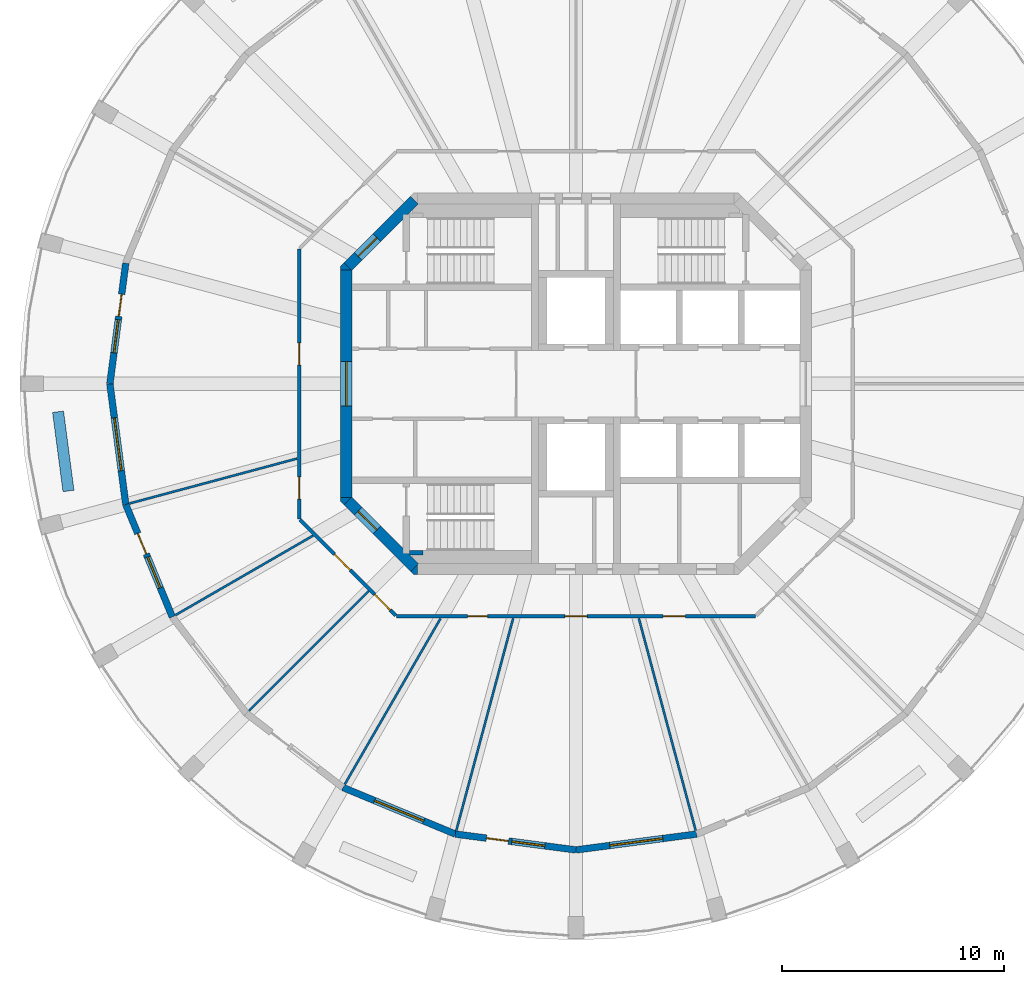
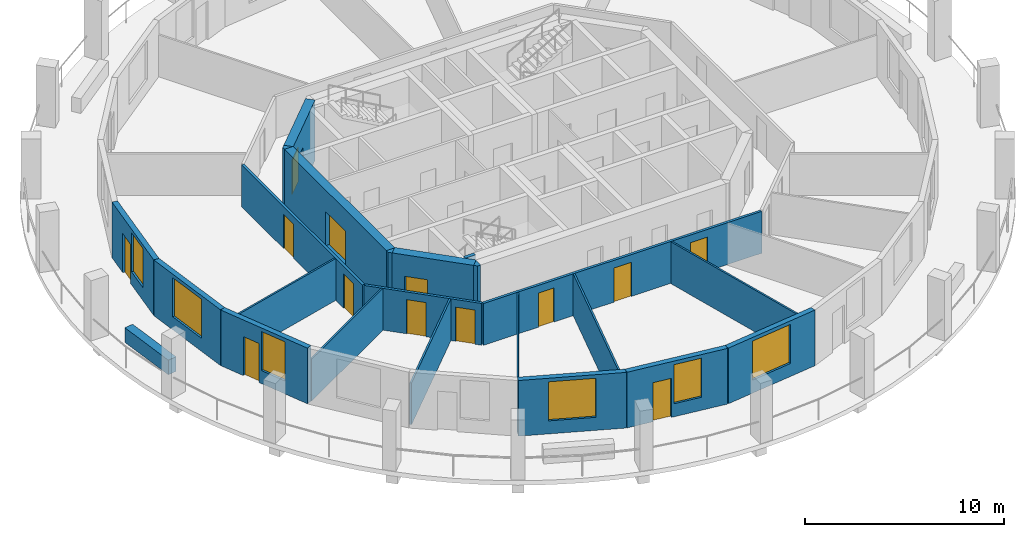
# One storey, part 2 of 8: 23 walls, 13 doors, 6 windows, 19 openings.
"""IFC4 building model written with IfcOpenShell, lengths in metres."""

from ifc_helpers import new_model, si_unit, direction, frame, frame_2d, origin, place, context, subcontext, project, spatial, polyline, rectangle, outline, extrude, material, layer, layer_set, type_object, element, fill, save


model = new_model("IFC4")

# Units and contexts
model_context = context("Model", 3, precision=1e-05, world=origin(), true_north=direction((0.0, 1.0)))
body_context = subcontext(model_context, "Body", "Model", "MODEL_VIEW")
ifc_project = project(units=[si_unit("LENGTHUNIT", "METRE"), si_unit("AREAUNIT", "SQUARE_METRE"), si_unit("VOLUMEUNIT", "CUBIC_METRE"), si_unit("PLANEANGLEUNIT", "RADIAN"), si_unit("MASSUNIT", "GRAM", prefix="KILO")], contexts=[model_context])

# Site, building, storey
site_placement = place(None, origin())
site = spatial("IfcSite", under=ifc_project, at=site_placement, CompositionType="ELEMENT")
building_placement = place(site_placement, origin())
building = spatial("IfcBuilding", under=site, at=building_placement, Name="Torre Triforio", CompositionType="ELEMENT")
storey_placement = place(building_placement, frame((0.0, 0.0, 253.800048828125)))
storey = spatial("IfcBuildingStorey", under=building, at=storey_placement, Name="L58", CompositionType="ELEMENT", Elevation=253.800048828125)

# Wall, opening, door
ifc_material_1 = material(Name="Concrete C40", Category="concrete")
ifc_layer_1 = layer(ifc_material_1, 0.5)
ifc_layer_set_1 = layer_set([ifc_layer_1], Name="Concrete C40")
wall_type_1 = type_object("IfcWallType", Name="Core wall 500 mm C40 EI 120", PredefinedType="SHEAR", material=ifc_layer_set_1)
wall_1_placement = place(storey_placement, frame((-10.35009765625, -5.1298828125, -0.280029296875), z_axis=(0.0, 0.0, 1.0), x_axis=(0.0, 1.0, 0.0)))
wall_1 = element("IfcWall", 1, at=wall_1_placement, inside=storey, type_object=wall_type_1, Name="Core wall", PredefinedType="SHEAR", context=body_context, shape_type="SweptSolid", body=[
    extrude(rectangle(XDim=10.259765625, YDim=0.5, at=frame_2d((5.1298828125, 0.0))), origin(), (0.0, 0.0, 1.0), 3.699951171875),
])
opening_1_placement = place(wall_1_placement, frame((4.1298828125, 0.0, 0.280029296875)))
opening_1 = element("IfcOpeningElement", 2, at=opening_1_placement, cuts=wall_1, Name="Opening W-RING", PredefinedType="OPENING", context=body_context, shape_type="SweptSolid", body=[
    extrude(rectangle(XDim=2.0, YDim=2.10009765625, at=frame_2d((1.0, 1.050048828125))), frame((0.0, 0.260009765625, 0.0), z_axis=(0.0, -1.0, 0.0), x_axis=(1.0, 0.0, 0.0)), (0.0, 0.0, 1.0), 0.52001953125),
])
ifc_material_2 = material(Name="Hollow metal fire door leaf")
door_type_1 = type_object("IfcDoorType", Name="Lobby door 2000 x 2100 EI 60", OperationType="DOUBLE_DOOR_SINGLE_SWING", PredefinedType="DOOR", material=ifc_material_2)
door_1_placement = place(opening_1_placement, origin())
door_1 = element("IfcDoor", 3, at=door_1_placement, inside=storey, type_object=door_type_1, Name="Core door W-RING", OperationType="DOUBLE_DOOR_SINGLE_SWING", OverallHeight=2.10009765625, OverallWidth=2.0, PredefinedType="DOOR", context=body_context, shape_type="SweptSolid", body=[
    extrude(rectangle(XDim=2.0, YDim=2.10009765625, at=frame_2d((1.0, 1.050048828125))), frame((0.0, 0.02490234375, 0.0), z_axis=(0.0, -1.0, 0.0), x_axis=(1.0, 0.0, 0.0)), (0.0, 0.0, 1.0), 0.050048828125),
])
fill(opening_1, door_1)

wall_2_placement = place(storey_placement, frame((-10.27685546875, 5.27685546875, -0.280029296875), z_axis=(0.0, 0.0, 1.0), x_axis=(0.707106781187, 0.707106781187, 0.0)))
wall_2 = element("IfcWall", 4, at=wall_2_placement, inside=storey, type_object=wall_type_1, Name="Core wall", PredefinedType="SHEAR", context=body_context, shape_type="SweptSolid", body=[
    extrude(rectangle(XDim=4.24267578125, YDim=0.5, at=frame_2d((2.121337890625, 0.0))), origin(), (0.0, 0.0, 1.0), 3.699951171875),
])
opening_2_placement = place(wall_2_placement, frame((0.64990234375, 0.0, 0.280029296875)))
opening_2 = element("IfcOpeningElement", 5, at=opening_2_placement, cuts=wall_2, Name="Opening ST1-EXIT", PredefinedType="OPENING", context=body_context, shape_type="SweptSolid", body=[
    extrude(rectangle(XDim=1.199951171875, YDim=2.10009765625, at=frame_2d((0.60009765625, 1.050048828125))), frame((0.0, 0.260009765625, 0.0), z_axis=(0.0, -1.0, 0.0), x_axis=(1.0, 0.0, 0.0)), (0.0, 0.0, 1.0), 0.52001953125),
])
door_type_2 = type_object("IfcDoorType", Name="Stair lobby door 1200 x 2100 EI 60", OperationType="NOTDEFINED", PredefinedType="DOOR", material=ifc_material_2)
door_2_placement = place(opening_2_placement, origin())
door_2 = element("IfcDoor", 6, at=door_2_placement, inside=storey, type_object=door_type_2, Name="Core door ST1-EXIT", OperationType="SINGLE_SWING_RIGHT", OverallHeight=2.10009765625, OverallWidth=1.199951171875, PredefinedType="DOOR", context=body_context, shape_type="SweptSolid", body=[
    extrude(rectangle(XDim=1.199951171875, YDim=2.10009765625, at=frame_2d((0.60009765625, 1.050048828125))), frame((0.0, 0.02490234375, 0.0), z_axis=(0.0, -1.0, 0.0), x_axis=(1.0, 0.0, 0.0)), (0.0, 0.0, 1.0), 0.050048828125),
])
fill(opening_2, door_2)

wall_3_placement = place(storey_placement, frame((-7.27685546875, -8.27685546875, -0.280029296875), z_axis=(0.0, 0.0, 1.0), x_axis=(-0.707106781187, 0.707106781187, 0.0)))
wall_3 = element("IfcWall", 7, at=wall_3_placement, inside=storey, type_object=wall_type_1, Name="Core wall", PredefinedType="SHEAR", context=body_context, shape_type="SweptSolid", body=[
    extrude(rectangle(XDim=4.24267578125, YDim=0.5, at=frame_2d((2.121337890625, 0.0))), origin(), (0.0, 0.0, 1.0), 3.699951171875),
])
opening_3_placement = place(wall_3_placement, frame((2.392578125, 0.0, 0.280029296875)))
opening_3 = element("IfcOpeningElement", 8, at=opening_3_placement, cuts=wall_3, Name="Opening ST3-EXIT", PredefinedType="OPENING", context=body_context, shape_type="SweptSolid", body=[
    extrude(rectangle(XDim=1.199951171875, YDim=2.10009765625, at=frame_2d((0.60009765625, 1.050048828125))), frame((0.0, 0.260009765625, 0.0), z_axis=(0.0, -1.0, 0.0), x_axis=(1.0, 0.0, 0.0)), (0.0, 0.0, 1.0), 0.52001953125),
])
door_3_placement = place(opening_3_placement, origin())
door_3 = element("IfcDoor", 9, at=door_3_placement, inside=storey, type_object=door_type_2, Name="Core door ST3-EXIT", OperationType="SINGLE_SWING_RIGHT", OverallHeight=2.10009765625, OverallWidth=1.199951171875, PredefinedType="DOOR", context=body_context, shape_type="SweptSolid", body=[
    extrude(rectangle(XDim=1.199951171875, YDim=2.10009765625, at=frame_2d((0.60009765625, 1.050048828125))), frame((0.0, 0.02490234375, 0.0), z_axis=(0.0, -1.0, 0.0), x_axis=(1.0, 0.0, 0.0)), (0.0, 0.0, 1.0), 0.050048828125),
])
fill(opening_3, door_3)

# Walls
wall_4_placement = place(storey_placement, frame((0.0, 0.0, -0.280029296875)))
element("IfcWall", 10, at=wall_4_placement, inside=storey, type_object=wall_type_1, Name="Core wall", PredefinedType="SHEAR", context=body_context, shape_type="SweptSolid", body=[
    extrude(outline(polyline([(-7.30712890625, -8.60009765625), (-7.45361328125, -8.45361328125), (-7.1298828125, -8.1298828125), (-7.1298828125, -8.60009765625), (-7.30712890625, -8.60009765625)])), origin(), (0.0, 0.0, 1.0), 3.699951171875),
])
wall_5_placement = place(storey_placement, frame((0.0, 0.0, -0.280029296875)))
element("IfcWall", 11, at=wall_5_placement, inside=storey, type_object=wall_type_1, Name="Core wall", PredefinedType="SHEAR", context=body_context, shape_type="SweptSolid", body=[
    extrude(outline(polyline([(-10.60009765625, -5.30712890625), (-10.60009765625, -5.1298828125), (-10.1298828125, -5.1298828125), (-10.45361328125, -5.45361328125), (-10.60009765625, -5.30712890625)])), origin(), (0.0, 0.0, 1.0), 3.699951171875),
])
wall_6_placement = place(storey_placement, frame((0.0, 0.0, -0.280029296875)))
element("IfcWall", 12, at=wall_6_placement, inside=storey, type_object=wall_type_1, Name="Core wall", PredefinedType="SHEAR", context=body_context, shape_type="SweptSolid", body=[
    extrude(outline(polyline([(-10.45361328125, 5.45361328125), (-10.1298828125, 5.1298828125), (-10.60009765625, 5.1298828125), (-10.60009765625, 5.30712890625), (-10.45361328125, 5.45361328125)])), origin(), (0.0, 0.0, 1.0), 3.699951171875),
])

# Wall, openings, doors
ifc_material_3 = material(Name="Plasterboard on metal studs")
ifc_layer_2 = layer(ifc_material_3, 0.14990234375)
ifc_layer_set_2 = layer_set([ifc_layer_2], Name="Plasterboard on metal studs")
wall_type_2 = type_object("IfcWallType", Name="Corridor and tenancy wall 150 mm EI 60", PredefinedType="PARTITIONING", material=ifc_layer_set_2)
wall_7_placement = place(storey_placement, frame((8.083740234375, -10.47509765625, 0.0), z_axis=(0.0, 0.0, 1.0), x_axis=(-1.0, 0.0, 0.0)))
wall_7 = element("IfcWall", 13, at=wall_7_placement, inside=storey, type_object=wall_type_2, Name="Partition 2", PredefinedType="PARTITIONING", context=body_context, shape_type="SweptSolid", body=[
    extrude(rectangle(XDim=16.16748046875, YDim=0.14990234375, at=frame_2d((8.083740234375, 0.0))), origin(), (0.0, 0.0, 1.0), 2.570068359375),
])
opening_4_placement = place(wall_7_placement, frame((12.06494140625, 0.0, 0.0)))
opening_4 = element("IfcOpeningElement", 14, at=opening_4_placement, cuts=wall_7, Name="Opening E1-09", PredefinedType="OPENING", context=body_context, shape_type="SweptSolid", body=[
    extrude(rectangle(XDim=0.89990234375, YDim=2.10009765625, at=frame_2d((0.449951171875, 1.050048828125))), frame((0.0, 0.0849609375, 0.0), z_axis=(0.0, -1.0, 0.0), x_axis=(1.0, 0.0, 0.0)), (0.0, 0.0, 1.0), 0.169921875),
])
opening_5_placement = place(wall_7_placement, frame((7.583740234375, 0.0, 0.0)))
opening_5 = element("IfcOpeningElement", 15, at=opening_5_placement, cuts=wall_7, Name="Opening E1-10", PredefinedType="OPENING", context=body_context, shape_type="SweptSolid", body=[
    extrude(rectangle(XDim=1.0, YDim=2.10009765625, at=frame_2d((0.5, 1.050048828125))), frame((0.0, 0.0849609375, 0.0), z_axis=(0.0, -1.0, 0.0), x_axis=(1.0, 0.0, 0.0)), (0.0, 0.0, 1.0), 0.169921875),
])
opening_6_placement = place(wall_7_placement, frame((3.152587890625, 0.0, 0.0)))
opening_6 = element("IfcOpeningElement", 16, at=opening_6_placement, cuts=wall_7, Name="Opening E1-11", PredefinedType="OPENING", context=body_context, shape_type="SweptSolid", body=[
    extrude(rectangle(XDim=1.0, YDim=2.10009765625, at=frame_2d((0.5, 1.050048828125))), frame((0.0, 0.0849609375, 0.0), z_axis=(0.0, -1.0, 0.0), x_axis=(1.0, 0.0, 0.0)), (0.0, 0.0, 1.0), 0.169921875),
])
ifc_material_4 = material(Name="Timber", Category="wood")
door_type_3 = type_object("IfcDoorType", Name="Door 1000 x 2100 single leaf EI 30", OperationType="NOTDEFINED", PredefinedType="DOOR", material=ifc_material_4)
door_4_placement = place(opening_5_placement, origin())
door_4 = element("IfcDoor", 17, at=door_4_placement, inside=storey, type_object=door_type_3, Name="Door E1-10", OperationType="SINGLE_SWING_LEFT", OverallHeight=2.10009765625, OverallWidth=1.0, PredefinedType="DOOR", context=body_context, shape_type="SweptSolid", body=[
    extrude(rectangle(XDim=1.0, YDim=2.10009765625, at=frame_2d((0.5, 1.050048828125))), frame((0.0, 0.02490234375, 0.0), z_axis=(0.0, -1.0, 0.0), x_axis=(1.0, 0.0, 0.0)), (0.0, 0.0, 1.0), 0.050048828125),
])
fill(opening_5, door_4)
door_5_placement = place(opening_6_placement, origin())
door_5 = element("IfcDoor", 18, at=door_5_placement, inside=storey, type_object=door_type_3, Name="Door E1-11", OperationType="SINGLE_SWING_LEFT", OverallHeight=2.10009765625, OverallWidth=1.0, PredefinedType="DOOR", context=body_context, shape_type="SweptSolid", body=[
    extrude(rectangle(XDim=1.0, YDim=2.10009765625, at=frame_2d((0.5, 1.050048828125))), frame((0.0, 0.02490234375, 0.0), z_axis=(0.0, -1.0, 0.0), x_axis=(1.0, 0.0, 0.0)), (0.0, 0.0, 1.0), 0.050048828125),
])
fill(opening_6, door_5)
door_type_4 = type_object("IfcDoorType", Name="Door 900 x 2100 single leaf EI 30", OperationType="NOTDEFINED", PredefinedType="DOOR", material=ifc_material_4)
door_6_placement = place(opening_4_placement, origin())
door_6 = element("IfcDoor", 19, at=door_6_placement, inside=storey, type_object=door_type_4, Name="Door E1-09", OperationType="SINGLE_SWING_LEFT", OverallHeight=2.10009765625, OverallWidth=0.89990234375, PredefinedType="DOOR", context=body_context, shape_type="SweptSolid", body=[
    extrude(rectangle(XDim=0.89990234375, YDim=2.10009765625, at=frame_2d((0.449951171875, 1.050048828125))), frame((0.0, 0.02490234375, 0.0), z_axis=(0.0, -1.0, 0.0), x_axis=(1.0, 0.0, 0.0)), (0.0, 0.0, 1.0), 0.050048828125),
])
fill(opening_4, door_6)

wall_8_placement = place(storey_placement, frame((-8.120849609375, -10.43798828125, 0.0), z_axis=(0.0, 0.0, 1.0), x_axis=(-0.707106781187, 0.707106781187, 0.0)))
wall_8 = element("IfcWall", 20, at=wall_8_placement, inside=storey, type_object=wall_type_2, Name="Partition 3", PredefinedType="PARTITIONING", context=body_context, shape_type="SweptSolid", body=[
    extrude(rectangle(XDim=6.10546875, YDim=0.14990234375, at=frame_2d((3.052734375, 0.0))), origin(), (0.0, 0.0, 1.0), 2.570068359375),
])
opening_7_placement = place(wall_8_placement, frame((2.8974609375, 0.0, 0.0)))
opening_7 = element("IfcOpeningElement", 21, at=opening_7_placement, cuts=wall_8, Name="Opening E1-07", PredefinedType="OPENING", context=body_context, shape_type="SweptSolid", body=[
    extrude(rectangle(XDim=1.0, YDim=2.10009765625, at=frame_2d((0.5, 1.050048828125))), frame((0.0, 0.0849609375, 0.0), z_axis=(0.0, -1.0, 0.0), x_axis=(1.0, 0.0, 0.0)), (0.0, 0.0, 1.0), 0.169921875),
])
opening_8_placement = place(wall_8_placement, frame((0.34423828125, 0.0, 0.0)))
opening_8 = element("IfcOpeningElement", 22, at=opening_8_placement, cuts=wall_8, Name="Opening E1-08", PredefinedType="OPENING", context=body_context, shape_type="SweptSolid", body=[
    extrude(rectangle(XDim=1.0, YDim=2.10009765625, at=frame_2d((0.5, 1.050048828125))), frame((0.0, 0.0849609375, 0.0), z_axis=(0.0, -1.0, 0.0), x_axis=(1.0, 0.0, 0.0)), (0.0, 0.0, 1.0), 0.169921875),
])
door_7_placement = place(opening_7_placement, origin())
door_7 = element("IfcDoor", 23, at=door_7_placement, inside=storey, type_object=door_type_3, Name="Door E1-07", OperationType="SINGLE_SWING_LEFT", OverallHeight=2.10009765625, OverallWidth=1.0, PredefinedType="DOOR", context=body_context, shape_type="SweptSolid", body=[
    extrude(rectangle(XDim=1.0, YDim=2.10009765625, at=frame_2d((0.5, 1.050048828125))), frame((0.0, 0.02490234375, 0.0), z_axis=(0.0, -1.0, 0.0), x_axis=(1.0, 0.0, 0.0)), (0.0, 0.0, 1.0), 0.050048828125),
])
fill(opening_7, door_7)
door_8_placement = place(opening_8_placement, origin())
door_8 = element("IfcDoor", 24, at=door_8_placement, inside=storey, type_object=door_type_3, Name="Door E1-08", OperationType="SINGLE_SWING_LEFT", OverallHeight=2.10009765625, OverallWidth=1.0, PredefinedType="DOOR", context=body_context, shape_type="SweptSolid", body=[
    extrude(rectangle(XDim=1.0, YDim=2.10009765625, at=frame_2d((0.5, 1.050048828125))), frame((0.0, 0.02490234375, 0.0), z_axis=(0.0, -1.0, 0.0), x_axis=(1.0, 0.0, 0.0)), (0.0, 0.0, 1.0), 0.050048828125),
])
fill(opening_8, door_8)

wall_9_placement = place(storey_placement, frame((-12.47509765625, -6.083740234375, 0.0), z_axis=(0.0, 0.0, 1.0), x_axis=(0.0, 1.0, 0.0)))
wall_9 = element("IfcWall", 25, at=wall_9_placement, inside=storey, type_object=wall_type_2, Name="Partition 4", PredefinedType="PARTITIONING", context=body_context, shape_type="SweptSolid", body=[
    extrude(rectangle(XDim=12.16748046875, YDim=0.14990234375, at=frame_2d((6.083740234375, 0.0))), origin(), (0.0, 0.0, 1.0), 2.570068359375),
])
opening_9_placement = place(wall_9_placement, frame((6.928466796875, 0.0, 0.0)))
opening_9 = element("IfcOpeningElement", 26, at=opening_9_placement, cuts=wall_9, Name="Opening E1-05", PredefinedType="OPENING", context=body_context, shape_type="SweptSolid", body=[
    extrude(rectangle(XDim=1.0, YDim=2.10009765625, at=frame_2d((0.5, 1.050048828125))), frame((0.0, 0.0849609375, 0.0), z_axis=(0.0, -1.0, 0.0), x_axis=(1.0, 0.0, 0.0)), (0.0, 0.0, 1.0), 0.169921875),
])
opening_10_placement = place(wall_9_placement, frame((0.8955078125, 0.0, 0.0)))
opening_10 = element("IfcOpeningElement", 27, at=opening_10_placement, cuts=wall_9, Name="Opening E1-06", PredefinedType="OPENING", context=body_context, shape_type="SweptSolid", body=[
    extrude(rectangle(XDim=1.0, YDim=2.10009765625, at=frame_2d((0.5, 1.050048828125))), frame((0.0, 0.0849609375, 0.0), z_axis=(0.0, -1.0, 0.0), x_axis=(1.0, 0.0, 0.0)), (0.0, 0.0, 1.0), 0.169921875),
])
door_9_placement = place(opening_9_placement, origin())
door_9 = element("IfcDoor", 28, at=door_9_placement, inside=storey, type_object=door_type_3, Name="Door E1-05", OperationType="SINGLE_SWING_LEFT", OverallHeight=2.10009765625, OverallWidth=1.0, PredefinedType="DOOR", context=body_context, shape_type="SweptSolid", body=[
    extrude(rectangle(XDim=1.0, YDim=2.10009765625, at=frame_2d((0.5, 1.050048828125))), frame((0.0, 0.02490234375, 0.0), z_axis=(0.0, -1.0, 0.0), x_axis=(1.0, 0.0, 0.0)), (0.0, 0.0, 1.0), 0.050048828125),
])
fill(opening_9, door_9)
door_10_placement = place(opening_10_placement, origin())
door_10 = element("IfcDoor", 29, at=door_10_placement, inside=storey, type_object=door_type_3, Name="Door E1-06", OperationType="SINGLE_SWING_LEFT", OverallHeight=2.10009765625, OverallWidth=1.0, PredefinedType="DOOR", context=body_context, shape_type="SweptSolid", body=[
    extrude(rectangle(XDim=1.0, YDim=2.10009765625, at=frame_2d((0.5, 1.050048828125))), frame((0.0, 0.02490234375, 0.0), z_axis=(0.0, -1.0, 0.0), x_axis=(1.0, 0.0, 0.0)), (0.0, 0.0, 1.0), 0.050048828125),
])
fill(opening_10, door_10)

# Walls
ifc_layer_3 = layer(ifc_material_3, 0.10009765625)
ifc_layer_set_3 = layer_set([ifc_layer_3], Name="Plasterboard on metal studs")
wall_type_3 = type_object("IfcWallType", Name="Partition 100 mm board on metal studs", PredefinedType="PARTITIONING", material=ifc_layer_set_3)
wall_10_placement = place(storey_placement, frame((-12.564208984375, -3.36669921875, 0.0), z_axis=(0.0, 0.0, 1.0), x_axis=(-0.965933576344, -0.258790119773, 0.0)))
element("IfcWall", 30, at=wall_10_placement, inside=storey, type_object=wall_type_3, Name="Partition 15", PredefinedType="PARTITIONING", context=body_context, shape_type="SweptSolid", body=[
    extrude(rectangle(XDim=7.8291015625, YDim=0.10009765625, at=frame_2d((3.91455078125, 0.0))), origin(), (0.0, 0.0, 1.0), 2.570068359375),
])
wall_11_placement = place(storey_placement, frame((-11.845947265625, -6.839111328125, 0.0), z_axis=(0.0, 0.0, 1.0), x_axis=(-0.866011787705, -0.500023583, 0.0)))
element("IfcWall", 31, at=wall_11_placement, inside=storey, type_object=wall_type_3, Name="Partition 16", PredefinedType="PARTITIONING", context=body_context, shape_type="SweptSolid", body=[
    extrude(rectangle(XDim=7.158447265625, YDim=0.10009765625, at=frame_2d((3.5791015625, 0.0))), origin(), (0.0, 0.0, 1.0), 2.570068359375),
])
wall_12_placement = place(storey_placement, frame((-9.33251953125, -9.33251953125, 0.0), z_axis=(0.0, 0.0, 1.0), x_axis=(-0.707106781187, -0.707106781187, 0.0)))
element("IfcWall", 32, at=wall_12_placement, inside=storey, type_object=wall_type_3, Name="Partition 17", PredefinedType="PARTITIONING", context=body_context, shape_type="SweptSolid", body=[
    extrude(rectangle(XDim=7.638671875, YDim=0.10009765625, at=frame_2d((3.8193359375, 0.0))), origin(), (0.0, 0.0, 1.0), 2.570068359375),
])
wall_13_placement = place(storey_placement, frame((-6.105224609375, -10.57470703125, 0.0), z_axis=(0.0, 0.0, 1.0), x_axis=(-0.50001399067, -0.866017326117, 0.0)))
element("IfcWall", 33, at=wall_13_placement, inside=storey, type_object=wall_type_3, Name="Partition 18", PredefinedType="PARTITIONING", context=body_context, shape_type="SweptSolid", body=[
    extrude(rectangle(XDim=8.626220703125, YDim=0.10009765625, at=frame_2d((4.31298828125, 0.0))), origin(), (0.0, 0.0, 1.0), 2.570068359375),
])
for number, where, z_axis, x_axis, name in (
    (34, (-2.830810546875, -10.564208984375, 0.0), (0.0, 0.0, 1.0), (-0.258795254151, -0.965932200741, 0.0), "Partition 19"),
    (35, (2.830810546875, -10.564208984375, 0.0), (0.0, 0.0, 1.0), (0.258795254151, -0.965932200741, 0.0), "Partition 20"),
):
    element("IfcWall", number, at=place(storey_placement, frame(where, z_axis=z_axis, x_axis=x_axis)), inside=storey, type_object=wall_type_3, Name=name, PredefinedType="PARTITIONING", context=body_context, shape_type="SweptSolid", body=[
        extrude(rectangle(XDim=9.899658203125, YDim=0.10009765625, at=frame_2d((4.94970703125, 0.0))), origin(), (0.0, 0.0, 1.0), 2.570068359375),
    ])
ifc_material_5 = material(Name="Limestone cladding", Category="masonry")
ifc_layer_4 = layer(ifc_material_5, 0.10009765625)
ifc_layer_5 = layer(ifc_material_1, 0.39990234375)
ifc_layer_set_4 = layer_set([ifc_layer_4, ifc_layer_5], Name="Limestone cladding / Concrete C40")
wall_type_4 = type_object("IfcWallType", Name="Planter wall 500", PredefinedType="PARAPET", material=ifc_layer_set_4)
wall_14_placement = place(storey_placement, frame((-23.335693359375, -1.256591796875, 0.0), z_axis=(0.0, 0.0, 1.0), x_axis=(0.130542222659, -0.991442750795, 0.0)))
element("IfcWall", 36, at=wall_14_placement, inside=storey, type_object=wall_type_4, Name="Planter L58 bay 13", PredefinedType="PARAPET", context=body_context, shape_type="SweptSolid", body=[
    extrude(rectangle(XDim=3.60009765625, YDim=0.5, at=frame_2d((1.800048828125, 0.0))), origin(), (0.0, 0.0, 1.0), 0.89990234375),
])
ifc_layer_6 = layer(ifc_material_1, 0.199951171875)
ifc_layer_set_5 = layer_set([ifc_layer_6], Name="Concrete C40")
wall_type_5 = type_object("IfcWallType", Name="Stair wall 200 mm C40 EI 120", PredefinedType="SHEAR", material=ifc_layer_set_5)
wall_15_placement = place(storey_placement, frame((-7.5, -7.60009765625, 0.0), z_axis=(0.0, 0.0, 1.0), x_axis=(1.0, 0.0, 0.0)))
element("IfcWall", 37, at=wall_15_placement, inside=storey, type_object=wall_type_5, Name="Stair wall", PredefinedType="SHEAR", context=body_context, shape_type="SweptSolid", body=[
    extrude(rectangle(XDim=0.60009765625, YDim=0.199951171875, at=frame_2d((0.300048828125, 0.0))), origin(), (0.0, 0.0, 1.0), 3.419921875),
])

# Wall, openings, door, window
ifc_layer_7 = layer(ifc_material_5, 0.10009765625)
ifc_layer_8 = layer(ifc_material_1, 0.199951171875)
ifc_layer_set_6 = layer_set([ifc_layer_7, ifc_layer_8], Name="Limestone cladding / Concrete C40")
wall_type_6 = type_object("IfcWallType", Name="Stone-faced composite wall 300", PredefinedType="STANDARD", material=ifc_layer_set_6)
wall_16_placement = place(storey_placement, frame((-20.284423828125, 5.435302734375, 0.0), z_axis=(0.0, 0.0, 1.0), x_axis=(-0.130527087244, -0.991444743541, 0.0)))
wall_16 = element("IfcWall", 38, at=wall_16_placement, inside=storey, type_object=wall_type_6, Name="External wall L58 bay 12", PredefinedType="STANDARD", context=body_context, shape_type="SweptSolid", body=[
    extrude(rectangle(XDim=5.482177734375, YDim=0.300048828125, at=frame_2d((2.7412109375, 0.0))), origin(), (0.0, 0.0, 1.0), 3.419921875),
])
opening_11_placement = place(wall_16_placement, frame((1.416015625, 0.0, 0.0)))
opening_11 = element("IfcOpeningElement", 39, at=opening_11_placement, cuts=wall_16, Name="Opening E1-D12", PredefinedType="OPENING", context=body_context, shape_type="SweptSolid", body=[
    extrude(rectangle(XDim=1.0, YDim=2.39990234375, at=frame_2d((0.5, 1.199951171875))), frame((0.0, 0.159912109375, 0.0), z_axis=(0.0, -1.0, 0.0), x_axis=(1.0, 0.0, 0.0)), (0.0, 0.0, 1.0), 0.320068359375),
])
opening_12_placement = place(wall_16_placement, frame((2.566162109375, 0.0, 0.800048828125)))
opening_12 = element("IfcOpeningElement", 40, at=opening_12_placement, cuts=wall_16, Name="Opening E1-W12A", PredefinedType="OPENING", context=body_context, shape_type="SweptSolid", body=[
    extrude(rectangle(XDim=1.5, YDim=2.39990234375, at=frame_2d((0.75, 1.199951171875))), frame((0.0, 0.159912109375, 0.0), z_axis=(0.0, -1.0, 0.0), x_axis=(1.0, 0.0, 0.0)), (0.0, 0.0, 1.0), 0.320068359375),
])
ifc_material_6 = material(Name="Aluminium frame with clear double glazing", Category="aluminium")
door_type_5 = type_object("IfcDoorType", Name="Loggia door 1000 x 2400", OperationType="NOTDEFINED", PredefinedType="DOOR", material=ifc_material_6)
door_11_placement = place(opening_11_placement, origin())
door_11 = element("IfcDoor", 41, at=door_11_placement, inside=storey, type_object=door_type_5, Name="Loggia door L58 bay 12", OperationType="SINGLE_SWING_LEFT", OverallHeight=2.39990234375, OverallWidth=1.0, PredefinedType="DOOR", context=body_context, shape_type="SweptSolid", body=[
    extrude(rectangle(XDim=1.0, YDim=2.39990234375, at=frame_2d((0.5, 1.199951171875))), frame((0.0, 0.02490234375, 0.0), z_axis=(0.0, -1.0, 0.0), x_axis=(1.0, 0.0, 0.0)), (0.0, 0.0, 1.0), 0.050048828125),
])
fill(opening_11, door_11)
window_type_1 = type_object("IfcWindowType", Name="Side window 1500 x 2400", PartitioningType="SINGLE_PANEL", PredefinedType="WINDOW", material=ifc_material_6)
window_1_placement = place(opening_12_placement, origin())
window_1 = element("IfcWindow", 42, at=window_1_placement, inside=storey, type_object=window_type_1, Name="Side window EWN14 L58 bay 12", OverallHeight=2.39990234375, OverallWidth=1.5, PartitioningType="SINGLE_PANEL", PredefinedType="WINDOW", context=body_context, shape_type="SweptSolid", body=[
    extrude(rectangle(XDim=1.5, YDim=2.39990234375, at=frame_2d((0.75, 1.199951171875))), frame((0.0, 0.030029296875, 0.0), z_axis=(0.0, -1.0, 0.0), x_axis=(1.0, 0.0, 0.0)), (0.0, 0.0, 1.0), 0.06005859375),
])
fill(opening_12, window_1)

# Wall, opening, window
wall_17_placement = place(storey_placement, frame((-21.0, 0.0, 0.0), z_axis=(0.0, 0.0, 1.0), x_axis=(0.130527087244, -0.991444743541, 0.0)))
wall_17 = element("IfcWall", 43, at=wall_17_placement, inside=storey, type_object=wall_type_6, Name="External wall L58 bay 13", PredefinedType="STANDARD", context=body_context, shape_type="SweptSolid", body=[
    extrude(rectangle(XDim=5.482177734375, YDim=0.300048828125, at=frame_2d((2.7412109375, 0.0))), origin(), (0.0, 0.0, 1.0), 3.419921875),
])
opening_13_placement = place(wall_17_placement, frame((1.541015625, 0.0, 0.800048828125)))
opening_13 = element("IfcOpeningElement", 44, at=opening_13_placement, cuts=wall_17, Name="Opening E1-W13", PredefinedType="OPENING", context=body_context, shape_type="SweptSolid", body=[
    extrude(rectangle(XDim=2.39990234375, YDim=2.39990234375, at=frame_2d((1.199951171875, 1.199951171875))), frame((0.0, 0.159912109375, 0.0), z_axis=(0.0, -1.0, 0.0), x_axis=(1.0, 0.0, 0.0)), (0.0, 0.0, 1.0), 0.320068359375),
])
window_type_2 = type_object("IfcWindowType", Name="Punched window 2400 x 2400", PartitioningType="DOUBLE_PANEL_VERTICAL", PredefinedType="WINDOW", material=ifc_material_6)
window_2_placement = place(opening_13_placement, origin())
window_2 = element("IfcWindow", 45, at=window_2_placement, inside=storey, type_object=window_type_2, Name="Window EWN4 L58 bay 13", OverallHeight=2.39990234375, OverallWidth=2.39990234375, PartitioningType="SINGLE_PANEL", PredefinedType="WINDOW", context=body_context, shape_type="SweptSolid", body=[
    extrude(rectangle(XDim=2.39990234375, YDim=2.39990234375, at=frame_2d((1.199951171875, 1.199951171875))), frame((0.0, 0.030029296875, 0.0), z_axis=(0.0, -1.0, 0.0), x_axis=(1.0, 0.0, 0.0)), (0.0, 0.0, 1.0), 0.06005859375),
])
fill(opening_13, window_2)

# Wall, openings, door, window
wall_18_placement = place(storey_placement, frame((-20.284423828125, -5.435302734375, 0.0), z_axis=(0.0, 0.0, 1.0), x_axis=(0.382688740813, -0.923877333662, 0.0)))
wall_18 = element("IfcWall", 46, at=wall_18_placement, inside=storey, type_object=wall_type_6, Name="External wall L58 bay 14", PredefinedType="STANDARD", context=body_context, shape_type="SweptSolid", body=[
    extrude(rectangle(XDim=5.48193359375, YDim=0.300048828125, at=frame_2d((2.740966796875, 0.0))), origin(), (0.0, 0.0, 1.0), 3.419921875),
])
opening_14_placement = place(wall_18_placement, frame((1.416015625, 0.0, 0.0)))
opening_14 = element("IfcOpeningElement", 47, at=opening_14_placement, cuts=wall_18, Name="Opening E1-D14", PredefinedType="OPENING", context=body_context, shape_type="SweptSolid", body=[
    extrude(rectangle(XDim=1.0, YDim=2.39990234375, at=frame_2d((0.5, 1.199951171875))), frame((0.0, 0.159912109375, 0.0), z_axis=(0.0, -1.0, 0.0), x_axis=(1.0, 0.0, 0.0)), (0.0, 0.0, 1.0), 0.320068359375),
])
opening_15_placement = place(wall_18_placement, frame((2.566162109375, 0.0, 0.800048828125)))
opening_15 = element("IfcOpeningElement", 48, at=opening_15_placement, cuts=wall_18, Name="Opening E1-W14A", PredefinedType="OPENING", context=body_context, shape_type="SweptSolid", body=[
    extrude(rectangle(XDim=1.5, YDim=2.39990234375, at=frame_2d((0.75, 1.199951171875))), frame((0.0, 0.159912109375, 0.0), z_axis=(0.0, -1.0, 0.0), x_axis=(1.0, 0.0, 0.0)), (0.0, 0.0, 1.0), 0.320068359375),
])
door_12_placement = place(opening_14_placement, origin())
door_12 = element("IfcDoor", 49, at=door_12_placement, inside=storey, type_object=door_type_5, Name="Loggia door L58 bay 14", OperationType="SINGLE_SWING_LEFT", OverallHeight=2.39990234375, OverallWidth=1.0, PredefinedType="DOOR", context=body_context, shape_type="SweptSolid", body=[
    extrude(rectangle(XDim=1.0, YDim=2.39990234375, at=frame_2d((0.5, 1.199951171875))), frame((0.0, 0.02490234375, 0.0), z_axis=(0.0, -1.0, 0.0), x_axis=(1.0, 0.0, 0.0)), (0.0, 0.0, 1.0), 0.050048828125),
])
fill(opening_14, door_12)
window_3_placement = place(opening_15_placement, origin())
window_3 = element("IfcWindow", 50, at=window_3_placement, inside=storey, type_object=window_type_1, Name="Side window EWN14 L58 bay 14", OverallHeight=2.39990234375, OverallWidth=1.5, PartitioningType="SINGLE_PANEL", PredefinedType="WINDOW", context=body_context, shape_type="SweptSolid", body=[
    extrude(rectangle(XDim=1.5, YDim=2.39990234375, at=frame_2d((0.75, 1.199951171875))), frame((0.0, 0.030029296875, 0.0), z_axis=(0.0, -1.0, 0.0), x_axis=(1.0, 0.0, 0.0)), (0.0, 0.0, 1.0), 0.06005859375),
])
fill(opening_15, window_3)

# Wall, opening, window
wall_19_placement = place(storey_placement, frame((-10.5, -18.1865234375, 0.0), z_axis=(0.0, 0.0, 1.0), x_axis=(0.923877333662, -0.382688740813, 0.0)))
wall_19 = element("IfcWall", 51, at=wall_19_placement, inside=storey, type_object=wall_type_6, Name="External wall L58 bay 17", PredefinedType="STANDARD", context=body_context, shape_type="SweptSolid", body=[
    extrude(rectangle(XDim=5.48193359375, YDim=0.300048828125, at=frame_2d((2.740966796875, 0.0))), origin(), (0.0, 0.0, 1.0), 3.419921875),
])
opening_16_placement = place(wall_19_placement, frame((1.541015625, 0.0, 0.800048828125)))
opening_16 = element("IfcOpeningElement", 52, at=opening_16_placement, cuts=wall_19, Name="Opening E1-W17", PredefinedType="OPENING", context=body_context, shape_type="SweptSolid", body=[
    extrude(rectangle(XDim=2.39990234375, YDim=2.39990234375, at=frame_2d((1.199951171875, 1.199951171875))), frame((0.0, 0.159912109375, 0.0), z_axis=(0.0, -1.0, 0.0), x_axis=(1.0, 0.0, 0.0)), (0.0, 0.0, 1.0), 0.320068359375),
])
window_4_placement = place(opening_16_placement, origin())
window_4 = element("IfcWindow", 53, at=window_4_placement, inside=storey, type_object=window_type_2, Name="Window EWN4 L58 bay 17", OverallHeight=2.39990234375, OverallWidth=2.39990234375, PartitioningType="SINGLE_PANEL", PredefinedType="WINDOW", context=body_context, shape_type="SweptSolid", body=[
    extrude(rectangle(XDim=2.39990234375, YDim=2.39990234375, at=frame_2d((1.199951171875, 1.199951171875))), frame((0.0, 0.030029296875, 0.0), z_axis=(0.0, -1.0, 0.0), x_axis=(1.0, 0.0, 0.0)), (0.0, 0.0, 1.0), 0.06005859375),
])
fill(opening_16, window_4)

# Wall, openings, door, window
wall_20_placement = place(storey_placement, frame((-5.435302734375, -20.284423828125, 0.0), z_axis=(0.0, 0.0, 1.0), x_axis=(0.991444743541, -0.130527087244, 0.0)))
wall_20 = element("IfcWall", 54, at=wall_20_placement, inside=storey, type_object=wall_type_6, Name="External wall L58 bay 18", PredefinedType="STANDARD", context=body_context, shape_type="SweptSolid", body=[
    extrude(rectangle(XDim=5.482177734375, YDim=0.300048828125, at=frame_2d((2.7412109375, 0.0))), origin(), (0.0, 0.0, 1.0), 3.419921875),
])
opening_17_placement = place(wall_20_placement, frame((1.416015625, 0.0, 0.0)))
opening_17 = element("IfcOpeningElement", 55, at=opening_17_placement, cuts=wall_20, Name="Opening E1-D18", PredefinedType="OPENING", context=body_context, shape_type="SweptSolid", body=[
    extrude(rectangle(XDim=1.0, YDim=2.39990234375, at=frame_2d((0.5, 1.199951171875))), frame((0.0, 0.159912109375, 0.0), z_axis=(0.0, -1.0, 0.0), x_axis=(1.0, 0.0, 0.0)), (0.0, 0.0, 1.0), 0.320068359375),
])
opening_18_placement = place(wall_20_placement, frame((2.566162109375, 0.0, 0.800048828125)))
opening_18 = element("IfcOpeningElement", 56, at=opening_18_placement, cuts=wall_20, Name="Opening E1-W18A", PredefinedType="OPENING", context=body_context, shape_type="SweptSolid", body=[
    extrude(rectangle(XDim=1.5, YDim=2.39990234375, at=frame_2d((0.75, 1.199951171875))), frame((0.0, 0.159912109375, 0.0), z_axis=(0.0, -1.0, 0.0), x_axis=(1.0, 0.0, 0.0)), (0.0, 0.0, 1.0), 0.320068359375),
])
door_13_placement = place(opening_17_placement, origin())
door_13 = element("IfcDoor", 57, at=door_13_placement, inside=storey, type_object=door_type_5, Name="Loggia door L58 bay 18", OperationType="SINGLE_SWING_LEFT", OverallHeight=2.39990234375, OverallWidth=1.0, PredefinedType="DOOR", context=body_context, shape_type="SweptSolid", body=[
    extrude(rectangle(XDim=1.0, YDim=2.39990234375, at=frame_2d((0.5, 1.199951171875))), frame((0.0, 0.02490234375, 0.0), z_axis=(0.0, -1.0, 0.0), x_axis=(1.0, 0.0, 0.0)), (0.0, 0.0, 1.0), 0.050048828125),
])
fill(opening_17, door_13)
window_5_placement = place(opening_18_placement, origin())
window_5 = element("IfcWindow", 58, at=window_5_placement, inside=storey, type_object=window_type_1, Name="Side window EWN14 L58 bay 18", OverallHeight=2.39990234375, OverallWidth=1.5, PartitioningType="SINGLE_PANEL", PredefinedType="WINDOW", context=body_context, shape_type="SweptSolid", body=[
    extrude(rectangle(XDim=1.5, YDim=2.39990234375, at=frame_2d((0.75, 1.199951171875))), frame((0.0, 0.030029296875, 0.0), z_axis=(0.0, -1.0, 0.0), x_axis=(1.0, 0.0, 0.0)), (0.0, 0.0, 1.0), 0.06005859375),
])
fill(opening_18, window_5)

# Wall, opening, window
wall_21_placement = place(storey_placement, frame((0.0, -21.0, 0.0), z_axis=(0.0, 0.0, 1.0), x_axis=(0.991444743541, 0.130527087244, 0.0)))
wall_21 = element("IfcWall", 59, at=wall_21_placement, inside=storey, type_object=wall_type_6, Name="External wall L58 bay 19", PredefinedType="STANDARD", context=body_context, shape_type="SweptSolid", body=[
    extrude(rectangle(XDim=5.482177734375, YDim=0.300048828125, at=frame_2d((2.7412109375, 0.0))), origin(), (0.0, 0.0, 1.0), 3.419921875),
])
opening_19_placement = place(wall_21_placement, frame((1.541015625, 0.0, 0.800048828125)))
opening_19 = element("IfcOpeningElement", 60, at=opening_19_placement, cuts=wall_21, Name="Opening E1-W19", PredefinedType="OPENING", context=body_context, shape_type="SweptSolid", body=[
    extrude(rectangle(XDim=2.39990234375, YDim=2.39990234375, at=frame_2d((1.199951171875, 1.199951171875))), frame((0.0, 0.159912109375, 0.0), z_axis=(0.0, -1.0, 0.0), x_axis=(1.0, 0.0, 0.0)), (0.0, 0.0, 1.0), 0.320068359375),
])
window_6_placement = place(opening_19_placement, origin())
window_6 = element("IfcWindow", 61, at=window_6_placement, inside=storey, type_object=window_type_2, Name="Window EWN4 L58 bay 19", OverallHeight=2.39990234375, OverallWidth=2.39990234375, PartitioningType="SINGLE_PANEL", PredefinedType="WINDOW", context=body_context, shape_type="SweptSolid", body=[
    extrude(rectangle(XDim=2.39990234375, YDim=2.39990234375, at=frame_2d((1.199951171875, 1.199951171875))), frame((0.0, 0.030029296875, 0.0), z_axis=(0.0, -1.0, 0.0), x_axis=(1.0, 0.0, 0.0)), (0.0, 0.0, 1.0), 0.06005859375),
])
fill(opening_19, window_6)

save(model, "model.ifc")
